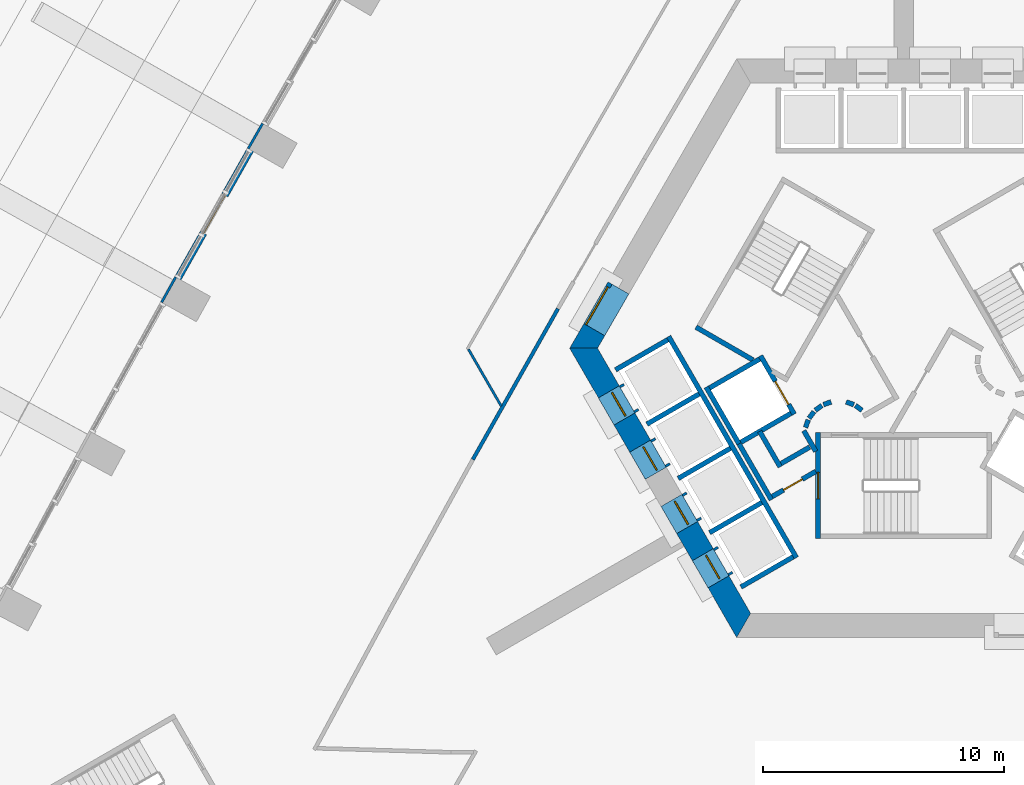
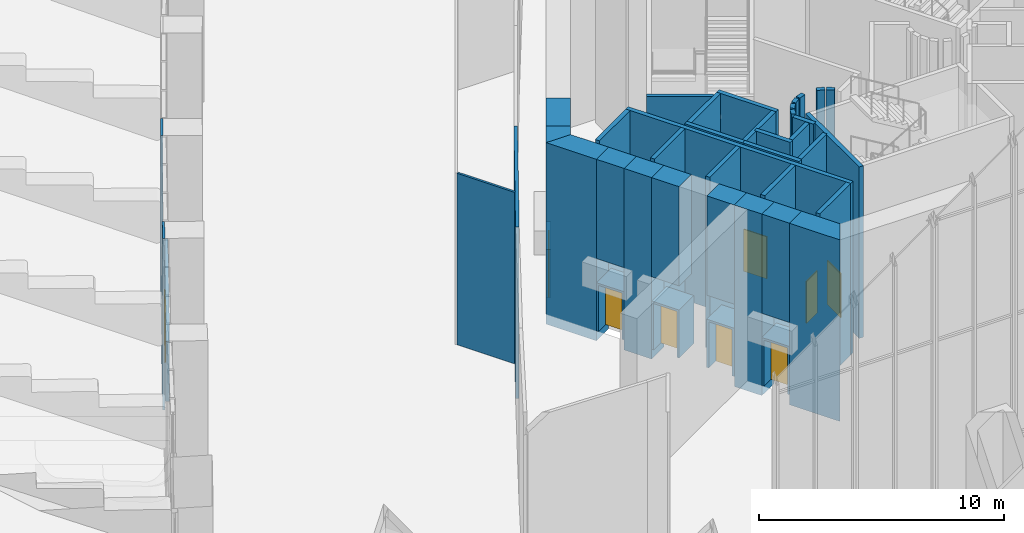
# One storey, part 15 of 36: 43 walls, 9 doors, 9 openings.
"""IFC4 building model written with IfcOpenShell, lengths in metres."""

from ifc_helpers import new_model, si_unit, direction, frame, frame_2d, origin, place, context, subcontext, project, spatial, polyline, rectangle, outline, extrude, material, layer, layer_set, type_object, element, fill, save


model = new_model("IFC4")

# Units and contexts
model_context = context("Model", 3, precision=1e-05, world=origin(), true_north=direction((0.0, 1.0)))
body_context = subcontext(model_context, "Body", "Model", "MODEL_VIEW")
ifc_project = project(units=[si_unit("LENGTHUNIT", "METRE"), si_unit("AREAUNIT", "SQUARE_METRE"), si_unit("VOLUMEUNIT", "CUBIC_METRE"), si_unit("PLANEANGLEUNIT", "RADIAN"), si_unit("MASSUNIT", "GRAM", prefix="KILO")], contexts=[model_context])

# Site, building, storey
site_placement = place(None, origin())
site = spatial("IfcSite", under=ifc_project, at=site_placement, CompositionType="ELEMENT")
building_placement = place(site_placement, origin())
building = spatial("IfcBuilding", under=site, at=building_placement, Name="Entoto Arch Interchange Tower", CompositionType="ELEMENT")
storey_placement = place(building_placement, origin())
storey = spatial("IfcBuildingStorey", under=building, at=storey_placement, Name="L00", CompositionType="ELEMENT", Elevation=0.0)

# Wall, opening, door
ifc_material_1 = material(Name="Reinforced concrete C40/50", Category="concrete")
ifc_layer_1 = layer(ifc_material_1, 0.199951171875)
ifc_layer_set_1 = layer_set([ifc_layer_1], Name="Reinforced concrete C40/50")
wall_type_1 = type_object("IfcWallType", Name="CORE GAP INFILL WALL", PredefinedType="PARTITIONING", material=ifc_layer_set_1)
wall_1_placement = place(storey_placement, frame((-12.179931640625, 5.201904296875, 0.0), z_axis=(0.0, 0.0, 1.0), x_axis=(-0.50002537861, -0.866010750942, 0.0)))
wall_1 = element("IfcWall", 1, at=wall_1_placement, inside=storey, type_object=wall_type_1, Name="wall:L00:gap3", PredefinedType="PARTITIONING", context=body_context, shape_type="SweptSolid", body=[
    extrude(rectangle(XDim=2.0, YDim=0.199951171875, at=frame_2d((1.0, 0.0))), origin(), (0.0, 0.0, 1.0), 2.39990234375),
])
opening_1_placement = place(wall_1_placement, frame((0.18994140625, 0.0, 0.0)))
opening_1 = element("IfcOpeningElement", 2, at=opening_1_placement, cuts=wall_1, Name="Opening L00-D93", PredefinedType="OPENING", context=body_context, shape_type="SweptSolid", body=[
    extrude(rectangle(XDim=1.800048828125, YDim=2.10009765625, at=frame_2d((0.89990234375, 1.050048828125))), frame((0.0, 0.10986328125, 0.0), z_axis=(0.0, -1.0, 0.0), x_axis=(1.0, 0.0, 0.0)), (0.0, 0.0, 1.0), 0.219970703125),
])
ifc_material_2 = material(Name="Fire-rated Steel S235 door and frame", Category="steel")
door_type_1 = type_object("IfcDoorType", Name="DOOR FD-18 1800x2100", OperationType="DOUBLE_DOOR_SINGLE_SWING", PredefinedType="DOOR", material=ifc_material_2)
door_1_placement = place(opening_1_placement, origin())
door_1 = element("IfcDoor", 3, at=door_1_placement, inside=storey, type_object=door_type_1, Name="door:L00:gap3", OperationType="DOUBLE_DOOR_SINGLE_SWING", OverallHeight=2.10009765625, OverallWidth=1.800048828125, PredefinedType="DOOR", context=body_context, shape_type="SweptSolid", body=[
    extrude(rectangle(XDim=1.800048828125, YDim=2.10009765625, at=frame_2d((0.89990234375, 1.050048828125))), frame((0.0, 0.02490234375, 0.0), z_axis=(0.0, -1.0, 0.0), x_axis=(1.0, 0.0, 0.0)), (0.0, 0.0, 1.0), 0.050048828125),
])
fill(opening_1, door_1)

# Walls
ifc_material_3 = material(Name="Concrete C60/75", Category="concrete")
ifc_layer_2 = layer(ifc_material_3, 1.0)
ifc_layer_set_2 = layer_set([ifc_layer_2], Name="Concrete C60/75")
wall_type_2 = type_object("IfcWallType", Name="Core wall 1000 C60/75", PredefinedType="SHEAR", material=ifc_layer_set_2)
wall_2_placement = place(storey_placement, frame((0.0, 0.0, -0.5)))
element("IfcWall", 4, at=wall_2_placement, inside=storey, type_object=wall_type_2, Name="Core wall NW L00", PredefinedType="SHEAR", context=body_context, shape_type="SweptSolid", body=[
    extrude(outline(polyline([(-12.402099609375, 3.02001953125), (-13.26708984375, 3.52001953125), (-13.85595703125, 2.5), (-12.701904296875, 2.5), (-12.402099609375, 3.02001953125)])), origin(), (0.0, 0.0, 1.0), 9.050048828125),
])
wall_3_placement = place(storey_placement, frame((0.0, 0.0, 3.60009765625)))
element("IfcWall", 5, at=wall_3_placement, inside=storey, type_object=wall_type_2, Name="Core wall lintel NW L00", PredefinedType="SHEAR", context=body_context, shape_type="SweptSolid", body=[
    extrude(outline(polyline([(-13.26708984375, 3.52001953125), (-12.402099609375, 3.02001953125), (-11.402099609375, 4.751953125), (-12.26708984375, 5.251953125), (-13.26708984375, 3.52001953125)])), origin(), (0.0, 0.0, 1.0), 4.949951171875),
])
wall_4_placement = place(storey_placement, frame((0.0, 0.0, -0.5)))
element("IfcWall", 6, at=wall_4_placement, inside=storey, type_object=wall_type_2, Name="Core wall SW L00", PredefinedType="SHEAR", context=body_context, shape_type="SweptSolid", body=[
    extrude(outline(polyline([(-12.6669921875, 0.43994140625), (-11.801025390625, 0.93994140625), (-12.701904296875, 2.5), (-13.85595703125, 2.5), (-12.6669921875, 0.43994140625)])), origin(), (0.0, 0.0, 1.0), 9.050048828125),
])
wall_5_placement = place(storey_placement, frame((0.0, 0.0, -0.5)))
element("IfcWall", 7, at=wall_5_placement, inside=storey, type_object=wall_type_2, Name="Core wall SW L00", PredefinedType="SHEAR", context=body_context, shape_type="SweptSolid", body=[
    extrude(outline(polyline([(-11.366943359375, -1.81103515625), (-10.5009765625, -1.31103515625), (-11.15087890625, -0.18603515625), (-12.01708984375, -0.68603515625), (-11.366943359375, -1.81103515625)])), origin(), (0.0, 0.0, 1.0), 9.050048828125),
])
wall_6_placement = place(storey_placement, frame((0.0, 0.0, -0.5)))
element("IfcWall", 8, at=wall_6_placement, inside=storey, type_object=wall_type_2, Name="Core wall SW L00", PredefinedType="SHEAR", context=body_context, shape_type="SweptSolid", body=[
    extrude(outline(polyline([(-8.76708984375, -6.31396484375), (-7.902099609375, -5.81396484375), (-8.551025390625, -4.68896484375), (-9.4169921875, -5.18896484375), (-8.76708984375, -6.31396484375)])), origin(), (0.0, 0.0, 1.0), 9.050048828125),
])
wall_7_placement = place(storey_placement, frame((0.0, 0.0, -0.5)))
element("IfcWall", 9, at=wall_7_placement, inside=storey, type_object=wall_type_2, Name="Core wall SW L00", PredefinedType="SHEAR", context=body_context, shape_type="SweptSolid", body=[
    extrude(outline(polyline([(-7.251953125, -6.93994140625), (-8.116943359375, -7.43994140625), (-6.927978515625, -9.5), (-6.35107421875, -8.5), (-7.251953125, -6.93994140625)])), origin(), (0.0, 0.0, 1.0), 9.050048828125),
])
wall_8_placement = place(storey_placement, frame((0.0, 0.0, 3.60009765625)))
element("IfcWall", 10, at=wall_8_placement, inside=storey, type_object=wall_type_2, Name="Core wall lintel SW L00", PredefinedType="SHEAR", context=body_context, shape_type="SweptSolid", body=[
    extrude(outline(polyline([(-12.01708984375, -0.68603515625), (-11.15087890625, -0.18603515625), (-11.801025390625, 0.93994140625), (-12.6669921875, 0.43994140625), (-12.01708984375, -0.68603515625)])), origin(), (0.0, 0.0, 1.0), 4.949951171875),
])
wall_9_placement = place(storey_placement, frame((0.0, 0.0, 3.60009765625)))
element("IfcWall", 11, at=wall_9_placement, inside=storey, type_object=wall_type_2, Name="Core wall lintel SW L00", PredefinedType="SHEAR", context=body_context, shape_type="SweptSolid", body=[
    extrude(outline(polyline([(-10.717041015625, -2.93701171875), (-9.85107421875, -2.43701171875), (-10.5009765625, -1.31103515625), (-11.366943359375, -1.81103515625), (-10.717041015625, -2.93701171875)])), origin(), (0.0, 0.0, 1.0), 4.949951171875),
])
wall_10_placement = place(storey_placement, frame((0.0, 0.0, 3.60009765625)))
element("IfcWall", 12, at=wall_10_placement, inside=storey, type_object=wall_type_2, Name="Core wall lintel SW L00", PredefinedType="SHEAR", context=body_context, shape_type="SweptSolid", body=[
    extrude(outline(polyline([(-9.4169921875, -5.18896484375), (-8.551025390625, -4.68896484375), (-9.200927734375, -3.56298828125), (-10.06689453125, -4.06298828125), (-9.4169921875, -5.18896484375)])), origin(), (0.0, 0.0, 1.0), 4.949951171875),
])
wall_11_placement = place(storey_placement, frame((0.0, 0.0, 3.60009765625)))
element("IfcWall", 13, at=wall_11_placement, inside=storey, type_object=wall_type_2, Name="Core wall lintel SW L00", PredefinedType="SHEAR", context=body_context, shape_type="SweptSolid", body=[
    extrude(outline(polyline([(-8.116943359375, -7.43994140625), (-7.251953125, -6.93994140625), (-7.902099609375, -5.81396484375), (-8.76708984375, -6.31396484375), (-8.116943359375, -7.43994140625)])), origin(), (0.0, 0.0, 1.0), 4.949951171875),
])

# Wall, opening, door
ifc_material_4 = material(Name="Concrete C40/50", Category="concrete")
ifc_layer_3 = layer(ifc_material_4, 1.199951171875)
ifc_layer_set_3 = layer_set([ifc_layer_3], Name="Concrete C40/50")
wall_type_3 = type_object("IfcWallType", Name="LIFT LANDING INFILL WALL", PredefinedType="STANDARD", material=ifc_layer_set_3)
wall_12_placement = place(storey_placement, frame((-12.14794921875, 0.739990234375, 0.0), z_axis=(0.0, 0.0, 1.0), x_axis=(0.500221244143, -0.865897630733, 0.0)))
wall_12 = element("IfcWall", 14, at=wall_12_placement, inside=storey, type_object=wall_type_3, Name="Lift landing infill wall SH1 L00", PredefinedType="STANDARD", context=body_context, shape_type="SweptSolid", body=[
    extrude(rectangle(XDim=1.29931640625, YDim=1.199951171875, at=frame_2d((0.649658203125, 0.0))), origin(), (0.0, 0.0, 1.0), 2.39990234375),
])
opening_2_placement = place(wall_12_placement, frame((0.10009765625, 0.0, 0.0)))
opening_2 = element("IfcOpeningElement", 15, at=opening_2_placement, cuts=wall_12, Name="Opening LD-SH1-L00", PredefinedType="OPENING", context=body_context, shape_type="SweptSolid", body=[
    extrude(rectangle(XDim=1.10009765625, YDim=2.300048828125, at=frame_2d((0.550048828125, 1.14990234375))), frame((0.0, 0.60986328125, 0.0), z_axis=(0.0, -1.0, 0.0), x_axis=(1.0, 0.0, 0.0)), (0.0, 0.0, 1.0), 1.219970703125),
])
ifc_material_5 = material(Name="Stainless steel 1.4301 panels", Category="steel")
door_type_2 = type_object("IfcDoorType", Name="LIFT LANDING DOOR LD2 1100x2300", OperationType="SLIDING_TO_LEFT", PredefinedType="DOOR", material=ifc_material_5)
door_2_placement = place(opening_2_placement, origin())
door_2 = element("IfcDoor", 16, at=door_2_placement, inside=storey, type_object=door_type_2, Name="Lift landing door SH1 L00", OperationType="SLIDING_TO_LEFT", OverallHeight=2.300048828125, OverallWidth=1.10009765625, PredefinedType="DOOR", context=body_context, shape_type="SweptSolid", body=[
    extrude(rectangle(XDim=1.10009765625, YDim=2.300048828125, at=frame_2d((0.550048828125, 1.14990234375))), frame((0.0, 0.02490234375, 0.0), z_axis=(0.0, -1.0, 0.0), x_axis=(1.0, 0.0, 0.0)), (0.0, 0.0, 1.0), 0.050048828125),
])
fill(opening_2, door_2)

wall_13_placement = place(storey_placement, frame((-10.847900390625, -1.510986328125, 0.0), z_axis=(0.0, 0.0, 1.0), x_axis=(0.49989585183, -0.866085525409, 0.0)))
wall_13 = element("IfcWall", 17, at=wall_13_placement, inside=storey, type_object=wall_type_3, Name="Lift landing infill wall SH2 L00", PredefinedType="STANDARD", context=body_context, shape_type="SweptSolid", body=[
    extrude(rectangle(XDim=1.300048828125, YDim=1.199951171875, at=frame_2d((0.64990234375, 0.0))), origin(), (0.0, 0.0, 1.0), 2.39990234375),
])
opening_3_placement = place(wall_13_placement, frame((0.10009765625, 0.0, 0.0)))
opening_3 = element("IfcOpeningElement", 18, at=opening_3_placement, cuts=wall_13, Name="Opening LD-SH2-L00", PredefinedType="OPENING", context=body_context, shape_type="SweptSolid", body=[
    extrude(rectangle(XDim=1.10009765625, YDim=2.300048828125, at=frame_2d((0.550048828125, 1.14990234375))), frame((0.0, 0.60986328125, 0.0), z_axis=(0.0, -1.0, 0.0), x_axis=(1.0, 0.0, 0.0)), (0.0, 0.0, 1.0), 1.219970703125),
])
door_3_placement = place(opening_3_placement, origin())
door_3 = element("IfcDoor", 19, at=door_3_placement, inside=storey, type_object=door_type_2, Name="Lift landing door SH2 L00", OperationType="SLIDING_TO_LEFT", OverallHeight=2.300048828125, OverallWidth=1.10009765625, PredefinedType="DOOR", context=body_context, shape_type="SweptSolid", body=[
    extrude(rectangle(XDim=1.10009765625, YDim=2.300048828125, at=frame_2d((0.550048828125, 1.14990234375))), frame((0.0, 0.02490234375, 0.0), z_axis=(0.0, -1.0, 0.0), x_axis=(1.0, 0.0, 0.0)), (0.0, 0.0, 1.0), 0.050048828125),
])
fill(opening_3, door_3)

wall_14_placement = place(storey_placement, frame((-9.548095703125, -3.762939453125, 0.0), z_axis=(0.0, 0.0, 1.0), x_axis=(0.500036693733, -0.866004217611, 0.0)))
wall_14 = element("IfcWall", 20, at=wall_14_placement, inside=storey, type_object=wall_type_3, Name="Lift landing infill wall SH3 L00", PredefinedType="STANDARD", context=body_context, shape_type="SweptSolid", body=[
    extrude(rectangle(XDim=1.30029296875, YDim=1.199951171875, at=frame_2d((0.650146484375, 0.0))), origin(), (0.0, 0.0, 1.0), 2.39990234375),
])
opening_4_placement = place(wall_14_placement, frame((0.10009765625, 0.0, 0.0)))
opening_4 = element("IfcOpeningElement", 21, at=opening_4_placement, cuts=wall_14, Name="Opening LD-SH3-L00", PredefinedType="OPENING", context=body_context, shape_type="SweptSolid", body=[
    extrude(rectangle(XDim=1.10009765625, YDim=2.300048828125, at=frame_2d((0.550048828125, 1.14990234375))), frame((0.0, 0.60986328125, 0.0), z_axis=(0.0, -1.0, 0.0), x_axis=(1.0, 0.0, 0.0)), (0.0, 0.0, 1.0), 1.219970703125),
])
door_4_placement = place(opening_4_placement, origin())
door_4 = element("IfcDoor", 22, at=door_4_placement, inside=storey, type_object=door_type_2, Name="Lift landing door SH3 L00", OperationType="SLIDING_TO_LEFT", OverallHeight=2.300048828125, OverallWidth=1.10009765625, PredefinedType="DOOR", context=body_context, shape_type="SweptSolid", body=[
    extrude(rectangle(XDim=1.10009765625, YDim=2.300048828125, at=frame_2d((0.550048828125, 1.14990234375))), frame((0.0, 0.02490234375, 0.0), z_axis=(0.0, -1.0, 0.0), x_axis=(1.0, 0.0, 0.0)), (0.0, 0.0, 1.0), 0.050048828125),
])
fill(opening_4, door_4)

wall_15_placement = place(storey_placement, frame((-8.248046875, -6.014892578125, 0.0), z_axis=(0.0, 0.0, 1.0), x_axis=(0.500362116554, -0.865816234728, 0.0)))
wall_15 = element("IfcWall", 23, at=wall_15_placement, inside=storey, type_object=wall_type_3, Name="Lift landing infill wall SH4 L00", PredefinedType="STANDARD", context=body_context, shape_type="SweptSolid", body=[
    extrude(rectangle(XDim=1.29931640625, YDim=1.199951171875, at=frame_2d((0.649658203125, 0.0))), origin(), (0.0, 0.0, 1.0), 2.39990234375),
])
opening_5_placement = place(wall_15_placement, frame((0.10009765625, 0.0, 0.0)))
opening_5 = element("IfcOpeningElement", 24, at=opening_5_placement, cuts=wall_15, Name="Opening LD-SH4-L00", PredefinedType="OPENING", context=body_context, shape_type="SweptSolid", body=[
    extrude(rectangle(XDim=1.10009765625, YDim=2.300048828125, at=frame_2d((0.550048828125, 1.14990234375))), frame((0.0, 0.60986328125, 0.0), z_axis=(0.0, -1.0, 0.0), x_axis=(1.0, 0.0, 0.0)), (0.0, 0.0, 1.0), 1.219970703125),
])
door_5_placement = place(opening_5_placement, origin())
door_5 = element("IfcDoor", 25, at=door_5_placement, inside=storey, type_object=door_type_2, Name="Lift landing door SH4 L00", OperationType="SLIDING_TO_LEFT", OverallHeight=2.300048828125, OverallWidth=1.10009765625, PredefinedType="DOOR", context=body_context, shape_type="SweptSolid", body=[
    extrude(rectangle(XDim=1.10009765625, YDim=2.300048828125, at=frame_2d((0.550048828125, 1.14990234375))), frame((0.0, 0.02490234375, 0.0), z_axis=(0.0, -1.0, 0.0), x_axis=(1.0, 0.0, 0.0)), (0.0, 0.0, 1.0), 0.050048828125),
])
fill(opening_5, door_5)

ifc_layer_4 = layer(ifc_material_4, 0.199951171875)
ifc_layer_set_4 = layer_set([ifc_layer_4], Name="Concrete C40/50")
wall_type_4 = type_object("IfcWallType", Name="LIFT SHAFT WALL 200", PredefinedType="STANDARD", material=ifc_layer_set_4)
wall_16_placement = place(storey_placement, frame((-5.93994140625, 2.18798828125, 0.0), z_axis=(0.0, 0.0, 1.0), x_axis=(0.49994636267, -0.866056369097, 0.0)))
wall_16 = element("IfcWall", 26, at=wall_16_placement, inside=storey, type_object=wall_type_4, Name="Shaft wall SW1 front", PredefinedType="STANDARD", context=body_context, shape_type="SweptSolid", body=[
    extrude(rectangle(XDim=2.800048828125, YDim=0.199951171875, at=frame_2d((1.39990234375, 0.0))), origin(), (0.0, 0.0, 1.0), 8.550048828125),
])
opening_6_placement = place(wall_16_placement, frame((1.22509765625, 0.0, 0.0)))
opening_6 = element("IfcOpeningElement", 27, at=opening_6_placement, cuts=wall_16, Name="Opening LD-FF2-L00", PredefinedType="OPENING", context=body_context, shape_type="SweptSolid", body=[
    extrude(rectangle(XDim=1.10009765625, YDim=2.10009765625, at=frame_2d((0.550048828125, 1.050048828125))), frame((0.0, 0.10986328125, 0.0), z_axis=(0.0, -1.0, 0.0), x_axis=(1.0, 0.0, 0.0)), (0.0, 0.0, 1.0), 0.219970703125),
])
door_type_3 = type_object("IfcDoorType", Name="LIFT LANDING DOOR LD1 1100x2100", OperationType="SLIDING_TO_LEFT", PredefinedType="DOOR", material=ifc_material_5)
door_6_placement = place(opening_6_placement, origin())
door_6 = element("IfcDoor", 28, at=door_6_placement, inside=storey, type_object=door_type_3, Name="Lift landing door FF2 L00", OperationType="SLIDING_TO_LEFT", OverallHeight=2.10009765625, OverallWidth=1.10009765625, PredefinedType="DOOR", context=body_context, shape_type="SweptSolid", body=[
    extrude(rectangle(XDim=1.10009765625, YDim=2.10009765625, at=frame_2d((0.550048828125, 1.050048828125))), frame((0.0, 0.02490234375, 0.0), z_axis=(0.0, -1.0, 0.0), x_axis=(1.0, 0.0, 0.0)), (0.0, 0.0, 1.0), 0.050048828125),
])
fill(opening_6, door_6)

# Walls
wall_17_placement = place(storey_placement, frame((-8.19189453125, 0.887939453125, 0.0), z_axis=(0.0, 0.0, 1.0), x_axis=(0.49994636267, -0.866056369097, 0.0)))
element("IfcWall", 29, at=wall_17_placement, inside=storey, type_object=wall_type_4, Name="Shaft wall SW1 back", PredefinedType="STANDARD", context=body_context, shape_type="SweptSolid", body=[
    extrude(rectangle(XDim=2.800048828125, YDim=0.199951171875, at=frame_2d((1.39990234375, 0.0))), origin(), (0.0, 0.0, 1.0), 8.550048828125),
])
for number, where, z_axis, x_axis, name in (
    (30, (-5.97705078125, 2.052001953125, 0.0), (0.0, 0.0, 1.0), (-0.865973769406, -0.500089422704, 0.0), "Shaft wall SW1 cross 1"),
    (31, (-4.677001953125, -0.199951171875, 0.0), (0.0, 0.0, 1.0), (-0.865973769406, -0.500089422704, 0.0), "Shaft wall SW1 cross 2"),
):
    element("IfcWall", number, at=place(storey_placement, frame(where, z_axis=z_axis, x_axis=x_axis)), inside=storey, type_object=wall_type_4, Name=name, PredefinedType="STANDARD", context=body_context, shape_type="SweptSolid", body=[
        extrude(rectangle(XDim=2.3994140625, YDim=0.199951171875, at=frame_2d((1.19970703125, 0.0))), origin(), (0.0, 0.0, 1.0), 8.550048828125),
    ])
wall_18_placement = place(storey_placement, frame((-9.7509765625, 2.989990234375, 0.0), z_axis=(0.0, 0.0, 1.0), x_axis=(0.50000090737, -0.866024879913, 0.0)))
element("IfcWall", 32, at=wall_18_placement, inside=storey, type_object=wall_type_4, Name="Shaft wall SW3 front", PredefinedType="STANDARD", context=body_context, shape_type="SweptSolid", body=[
    extrude(rectangle(XDim=10.60009765625, YDim=0.199951171875, at=frame_2d((5.300048828125, 0.0))), origin(), (0.0, 0.0, 1.0), 8.550048828125),
])
wall_19_placement = place(storey_placement, frame((-9.7880859375, 2.85302734375, 0.0), z_axis=(0.0, 0.0, 1.0), x_axis=(-0.865998541277, -0.500046524342, 0.0)))
element("IfcWall", 33, at=wall_19_placement, inside=storey, type_object=wall_type_4, Name="Shaft wall SW3 cross 1", PredefinedType="STANDARD", context=body_context, shape_type="SweptSolid", body=[
    extrude(rectangle(XDim=2.499755859375, YDim=0.199951171875, at=frame_2d((1.25, 0.0))), origin(), (0.0, 0.0, 1.0), 8.550048828125),
])
for number, where, z_axis, x_axis, name in (
    (34, (-8.488037109375, 0.60205078125, 0.0), (0.0, 0.0, 1.0), (-0.866022959057, -0.500004234368, 0.0), "Shaft wall SW3 cross 2"),
    (35, (-7.18798828125, -1.64990234375, 0.0), (0.0, 0.0, 1.0), (-0.866022959057, -0.500004234368, 0.0), "Shaft wall SW3 cross 3"),
    (36, (-5.887939453125, -3.902099609375, 0.0), (0.0, 0.0, 1.0), (-0.866022959057, -0.500004234368, 0.0), "Shaft wall SW3 cross 4"),
    (37, (-4.587890625, -6.153076171875, 0.0), (0.0, 0.0, 1.0), (-0.866022959057, -0.500004234368, 0.0), "Shaft wall SW3 cross 5"),
):
    element("IfcWall", number, at=place(storey_placement, frame(where, z_axis=z_axis, x_axis=x_axis)), inside=storey, type_object=wall_type_4, Name=name, PredefinedType="STANDARD", context=body_context, shape_type="SweptSolid", body=[
        extrude(rectangle(XDim=2.5, YDim=0.199951171875, at=frame_2d((1.25, 0.0))), origin(), (0.0, 0.0, 1.0), 8.550048828125),
    ])
ifc_material_6 = material(Name="Gypsum board partition on steel studs", Category="steel")
ifc_layer_5 = layer(ifc_material_6, 0.10009765625)
ifc_layer_set_5 = layer_set([ifc_layer_5], Name="Gypsum board partition on steel studs")
wall_type_5 = type_object("IfcWallType", Name="PARTITION 100", PredefinedType="PARTITIONING", material=ifc_layer_set_5)
wall_20_placement = place(storey_placement, frame((-16.697021484375, 0.10107421875, 0.0), z_axis=(0.0, 0.0, 1.0), x_axis=(-0.499903734186, 0.866080975745, 0.0)))
element("IfcWall", 38, at=wall_20_placement, inside=storey, type_object=wall_type_5, Name="wall:L00:p028", PredefinedType="PARTITIONING", context=body_context, shape_type="SweptSolid", body=[
    extrude(rectangle(XDim=2.72021484375, YDim=0.10009765625, at=frame_2d((1.360107421875, 0.0))), origin(), (0.0, 0.0, 1.0), 8.550048828125),
])
ifc_layer_6 = layer(ifc_material_6, 0.14990234375)
ifc_layer_set_6 = layer_set([ifc_layer_6], Name="Gypsum board partition on steel studs")
wall_type_6 = type_object("IfcWallType", Name="PARTITION 150", PredefinedType="PARTITIONING", material=ifc_layer_set_6)
wall_21_placement = place(storey_placement, frame((-14.343994140625, 4.136962890625, 0.0), z_axis=(0.0, 0.0, 1.0), x_axis=(-0.491655071834, -0.870790038035, 0.0)))
element("IfcWall", 39, at=wall_21_placement, inside=storey, type_object=wall_type_6, Name="wall:L00:p034", PredefinedType="PARTITIONING", context=body_context, shape_type="SweptSolid", body=[
    extrude(rectangle(XDim=7.181884765625, YDim=0.14990234375, at=frame_2d((3.5908203125, 0.0))), origin(), (0.0, 0.0, 1.0), 8.550048828125),
])
ifc_layer_7 = layer(ifc_material_6, 0.199951171875)
ifc_layer_set_7 = layer_set([ifc_layer_7], Name="Gypsum board partition on steel studs")
wall_type_7 = type_object("IfcWallType", Name="PARTITION 200", PredefinedType="PARTITIONING", material=ifc_layer_set_7)
wall_22_placement = place(storey_placement, frame((-3.89990234375, -1.59912109375, 0.0), z_axis=(0.0, 0.0, 1.0), x_axis=(-0.865969445389, -0.500096910261, 0.0)))
element("IfcWall", 40, at=wall_22_placement, inside=storey, type_object=wall_type_7, Name="wall:L00:p007", PredefinedType="PARTITIONING", context=body_context, shape_type="SweptSolid", body=[
    extrude(rectangle(XDim=1.373291015625, YDim=0.199951171875, at=frame_2d((0.6865234375, 0.0))), origin(), (0.0, 0.0, 1.0), 8.550048828125),
])
wall_23_placement = place(storey_placement, frame((-5.1259765625, -2.422119140625, 0.0), z_axis=(0.0, 0.0, 1.0), x_axis=(-0.500062241894, 0.865989465428, 0.0)))
element("IfcWall", 41, at=wall_23_placement, inside=storey, type_object=wall_type_7, Name="wall:L00:p008", PredefinedType="PARTITIONING", context=body_context, shape_type="SweptSolid", body=[
    extrude(rectangle(XDim=1.699951171875, YDim=0.199951171875, at=frame_2d((0.85009765625, 0.0))), origin(), (0.0, 0.0, 1.0), 8.550048828125),
])
wall_24_placement = place(storey_placement, frame((-5.491943359375, -3.7880859375, 0.0), z_axis=(0.0, 0.0, 1.0), x_axis=(-0.500008949224, 0.866020236886, 0.0)))
element("IfcWall", 42, at=wall_24_placement, inside=storey, type_object=wall_type_7, Name="wall:L00:p009", PredefinedType="PARTITIONING", context=body_context, shape_type="SweptSolid", body=[
    extrude(rectangle(XDim=2.68017578125, YDim=0.199951171875, at=frame_2d((1.340087890625, 0.0))), origin(), (0.0, 0.0, 1.0), 8.550048828125),
])
wall_25_placement = place(storey_placement, frame((-4.14501953125, -0.919921875, 0.0), z_axis=(0.0, 0.0, 1.0), x_axis=(0.499743786207, -0.866173278362, 0.0)))
element("IfcWall", 43, at=wall_25_placement, inside=storey, type_object=wall_type_7, Name="wall:L00:p010", PredefinedType="PARTITIONING", context=body_context, shape_type="SweptSolid", body=[
    extrude(rectangle(XDim=0.99072265625, YDim=0.199951171875, at=frame_2d((0.495361328125, 0.0))), origin(), (0.0, 0.0, 1.0), 8.550048828125),
])

# Wall, opening, door
wall_26_placement = place(storey_placement, frame((-3.64990234375, -2.610107421875, 0.0), z_axis=(0.0, 0.0, 1.0), x_axis=(-0.866072462134, -0.499918483688, 0.0)))
wall_26 = element("IfcWall", 44, at=wall_26_placement, inside=storey, type_object=wall_type_7, Name="wall:L00:p011", PredefinedType="PARTITIONING", context=body_context, shape_type="SweptSolid", body=[
    extrude(rectangle(XDim=2.084228515625, YDim=0.199951171875, at=frame_2d((1.0419921875, 0.0))), origin(), (0.0, 0.0, 1.0), 8.550048828125),
])
opening_7_placement = place(wall_26_placement, frame((0.64208984375, 0.0, 0.0)))
opening_7 = element("IfcOpeningElement", 45, at=opening_7_placement, cuts=wall_26, Name="Opening L00-D14", PredefinedType="OPENING", context=body_context, shape_type="SweptSolid", body=[
    extrude(rectangle(XDim=0.89990234375, YDim=2.10009765625, at=frame_2d((0.449951171875, 1.050048828125))), frame((0.0, 0.10986328125, 0.0), z_axis=(0.0, -1.0, 0.0), x_axis=(1.0, 0.0, 0.0)), (0.0, 0.0, 1.0), 0.219970703125),
])
ifc_material_7 = material(Name="Timber door leaf in Steel S235 frame", Category="steel")
door_type_4 = type_object("IfcDoorType", Name="DOOR DS-09 900x2100", OperationType="SINGLE_SWING_LEFT", PredefinedType="DOOR", material=ifc_material_7)
door_7_placement = place(opening_7_placement, origin())
door_7 = element("IfcDoor", 46, at=door_7_placement, inside=storey, type_object=door_type_4, Name="door:L00:14", OperationType="SINGLE_SWING_LEFT", OverallHeight=2.10009765625, OverallWidth=0.89990234375, PredefinedType="DOOR", context=body_context, shape_type="SweptSolid", body=[
    extrude(rectangle(XDim=0.89990234375, YDim=2.10009765625, at=frame_2d((0.449951171875, 1.050048828125))), frame((0.0, 0.02490234375, 0.0), z_axis=(0.0, -1.0, 0.0), x_axis=(1.0, 0.0, 0.0)), (0.0, 0.0, 1.0), 0.050048828125),
])
fill(opening_7, door_7)

# Walls
wall_27_placement = place(storey_placement, frame((-1.73095703125, -0.076904296875, 0.0), z_axis=(0.0, 0.0, 1.0), x_axis=(-0.804311165252, 0.594208338422, 0.0)))
element("IfcWall", 47, at=wall_27_placement, inside=storey, type_object=wall_type_7, Name="wall:L00:p021", PredefinedType="PARTITIONING", context=body_context, shape_type="SweptSolid", body=[
    extrude(rectangle(XDim=0.338134765625, YDim=0.199951171875, at=frame_2d((0.1689453125, 0.0))), origin(), (0.0, 0.0, 1.0), 8.550048828125),
])
wall_28_placement = place(storey_placement, frame((-2.070068359375, 0.159912109375, 0.0), z_axis=(0.0, 0.0, 1.0), x_axis=(-0.942199461132, 0.335052496547, 0.0)))
element("IfcWall", 48, at=wall_28_placement, inside=storey, type_object=wall_type_7, Name="wall:L00:p022", PredefinedType="PARTITIONING", context=body_context, shape_type="SweptSolid", body=[
    extrude(rectangle(XDim=0.33740234375, YDim=0.199951171875, at=frame_2d((0.168701171875, 0.0))), origin(), (0.0, 0.0, 1.0), 8.550048828125),
])
wall_29_placement = place(storey_placement, frame((-3.011962890625, 0.27294921875, 0.0), z_axis=(0.0, 0.0, 1.0), x_axis=(-0.942280615813, -0.334824194261, 0.0)))
element("IfcWall", 49, at=wall_29_placement, inside=storey, type_object=wall_type_7, Name="wall:L00:p023", PredefinedType="PARTITIONING", context=body_context, shape_type="SweptSolid", body=[
    extrude(rectangle(XDim=0.337646484375, YDim=0.199951171875, at=frame_2d((0.1689453125, 0.0))), origin(), (0.0, 0.0, 1.0), 8.550048828125),
])
wall_30_placement = place(storey_placement, frame((-3.39697265625, 0.1240234375, 0.0), z_axis=(0.0, 0.0, 1.0), x_axis=(-0.804311165252, -0.594208338422, 0.0)))
element("IfcWall", 50, at=wall_30_placement, inside=storey, type_object=wall_type_7, Name="wall:L00:p024", PredefinedType="PARTITIONING", context=body_context, shape_type="SweptSolid", body=[
    extrude(rectangle(XDim=0.338134765625, YDim=0.199951171875, at=frame_2d((0.1689453125, 0.0))), origin(), (0.0, 0.0, 1.0), 8.550048828125),
])
wall_31_placement = place(storey_placement, frame((-3.722900390625, -0.131103515625, 0.0), z_axis=(0.0, 0.0, 1.0), x_axis=(-0.594675113454, -0.803966112121, 0.0)))
element("IfcWall", 51, at=wall_31_placement, inside=storey, type_object=wall_type_7, Name="wall:L00:p025", PredefinedType="PARTITIONING", context=body_context, shape_type="SweptSolid", body=[
    extrude(rectangle(XDim=0.33837890625, YDim=0.199951171875, at=frame_2d((0.169189453125, 0.0))), origin(), (0.0, 0.0, 1.0), 8.550048828125),
])
wall_32_placement = place(storey_placement, frame((-3.9599609375, -0.469970703125, 0.0), z_axis=(0.0, 0.0, 1.0), x_axis=(-0.334824194261, -0.942280615813, 0.0)))
element("IfcWall", 52, at=wall_32_placement, inside=storey, type_object=wall_type_7, Name="wall:L00:p026", PredefinedType="PARTITIONING", context=body_context, shape_type="SweptSolid", body=[
    extrude(rectangle(XDim=0.337646484375, YDim=0.199951171875, at=frame_2d((0.1689453125, 0.0))), origin(), (0.0, 0.0, 1.0), 8.550048828125),
])

# Wall, opening, door
ifc_layer_8 = layer(ifc_material_4, 0.199951171875)
ifc_layer_set_8 = layer_set([ifc_layer_8], Name="Concrete C40/50")
wall_type_8 = type_object("IfcWallType", Name="STAIR ENCLOSURE WALL 200", PredefinedType="STANDARD", material=ifc_layer_set_8)
wall_33_placement = place(storey_placement, frame((-3.550048828125, -1.0, 0.0), z_axis=(0.0, 0.0, 1.0), x_axis=(0.0, -1.0, 0.0)))
wall_33 = element("IfcWall", 53, at=wall_33_placement, inside=storey, type_object=wall_type_8, Name="Stair wall ST-S near", PredefinedType="STANDARD", context=body_context, shape_type="SweptSolid", body=[
    extrude(rectangle(XDim=4.39990234375, YDim=0.199951171875, at=frame_2d((2.199951171875, 0.0))), origin(), (0.0, 0.0, 1.0), 8.550048828125),
])
opening_8_placement = place(wall_33_placement, frame((1.64990234375, 0.0, 0.0)))
opening_8 = element("IfcOpeningElement", 54, at=opening_8_placement, cuts=wall_33, Name="Opening SD-ST-S-L00-E", PredefinedType="OPENING", context=body_context, shape_type="SweptSolid", body=[
    extrude(rectangle(XDim=1.10009765625, YDim=2.199951171875, at=frame_2d((0.550048828125, 1.10009765625))), frame((0.0, 0.10986328125, 0.0), z_axis=(0.0, -1.0, 0.0), x_axis=(1.0, 0.0, 0.0)), (0.0, 0.0, 1.0), 0.219970703125),
])
ifc_material_8 = material(Name="Steel S235", Category="steel")
door_type_5 = type_object("IfcDoorType", Name="STAIR DOOR SD1 1100x2200", OperationType="SINGLE_SWING_LEFT", PredefinedType="DOOR", material=ifc_material_8)
door_8_placement = place(opening_8_placement, origin())
door_8 = element("IfcDoor", 55, at=door_8_placement, inside=storey, type_object=door_type_5, Name="Stair door ST-S L00 end", OperationType="SINGLE_SWING_LEFT", OverallHeight=2.199951171875, OverallWidth=1.10009765625, PredefinedType="DOOR", context=body_context, shape_type="SweptSolid", body=[
    extrude(rectangle(XDim=1.10009765625, YDim=2.199951171875, at=frame_2d((0.550048828125, 1.10009765625))), frame((0.0, 0.02490234375, 0.0), z_axis=(0.0, -1.0, 0.0), x_axis=(1.0, 0.0, 0.0)), (0.0, 0.0, 1.0), 0.050048828125),
])
fill(opening_8, door_8)

# Wall
wall_34_placement = place(storey_placement, frame((-6.25, 2.010009765625, 0.0), z_axis=(0.0, 0.0, 1.0), x_axis=(-0.86611865017, 0.499838457731, 0.0)))
element("IfcWall", 56, at=wall_34_placement, inside=storey, type_object=wall_type_8, Name="Stair wall ST-NW far", PredefinedType="STANDARD", context=body_context, shape_type="SweptSolid", body=[
    extrude(rectangle(XDim=2.73291015625, YDim=0.199951171875, at=frame_2d((1.366455078125, 0.0))), origin(), (0.0, 0.0, 1.0), 8.550048828125),
])

# Wall, opening, door
ifc_material_9 = material(Name="Welded tuff (ignimbrite) cladding, warm buff", Category="masonry")
ifc_layer_9 = layer(ifc_material_9, 0.300048828125)
ifc_layer_set_9 = layer_set([ifc_layer_9], Name="Welded tuff (ignimbrite) cladding, warm buff")
wall_type_9 = type_object("IfcWallType", Name="STONE INFILL WALL 300", PredefinedType="STANDARD", material=ifc_layer_set_9)
wall_35_placement = place(storey_placement, frame((-30.406005859375, 4.875, 0.0), z_axis=(0.0, 0.0, 1.0), x_axis=(0.491558487571, 0.870844563224, 0.0)))
wall_35 = element("IfcWall", 57, at=wall_35_placement, inside=storey, type_object=wall_type_9, Name="Entrance wall NW-06 L00", PredefinedType="STANDARD", context=body_context, shape_type="SweptSolid", body=[
    extrude(rectangle(XDim=7.32373046875, YDim=0.300048828125, at=frame_2d((3.661865234375, 0.0))), origin(), (0.0, 0.0, 1.0), 3.0),
])
opening_9_placement = place(wall_35_placement, frame((2.761962890625, 0.0, 0.0)))
opening_9 = element("IfcOpeningElement", 58, at=opening_9_placement, cuts=wall_35, Name="Opening DX-NW-06", PredefinedType="OPENING", context=body_context, shape_type="SweptSolid", body=[
    extrude(rectangle(XDim=1.800048828125, YDim=2.39990234375, at=frame_2d((0.89990234375, 1.199951171875))), frame((0.0, 0.16015625, 0.0), z_axis=(0.0, -1.0, 0.0), x_axis=(1.0, 0.0, 0.0)), (0.0, 0.0, 1.0), 0.320068359375),
])
ifc_material_10 = material(Name="Aluminium and clear glass, anodised", Category="aluminium")
door_type_6 = type_object("IfcDoorType", Name="EXIT DOOR DX 1800x2400", OperationType="DOUBLE_DOOR_SINGLE_SWING", PredefinedType="DOOR", material=ifc_material_10)
door_9_placement = place(opening_9_placement, origin())
door_9 = element("IfcDoor", 59, at=door_9_placement, inside=storey, type_object=door_type_6, Name="Exit door NW-06", OperationType="DOUBLE_DOOR_SINGLE_SWING", OverallHeight=2.39990234375, OverallWidth=1.800048828125, PredefinedType="DOOR", context=body_context, shape_type="SweptSolid", body=[
    extrude(rectangle(XDim=1.800048828125, YDim=2.39990234375, at=frame_2d((0.89990234375, 1.199951171875))), frame((0.0, 0.02490234375, 0.0), z_axis=(0.0, -1.0, 0.0), x_axis=(1.0, 0.0, 0.0)), (0.0, 0.0, 1.0), 0.050048828125),
])
fill(opening_9, door_9)

# Walls
ifc_layer_10 = layer(ifc_material_9, 0.10009765625)
ifc_layer_set_10 = layer_set([ifc_layer_10], Name="Welded tuff (ignimbrite) cladding, warm buff")
wall_type_10 = type_object("IfcWallType", Name="STONE PIER CLADDING 100", PredefinedType="STANDARD", material=ifc_layer_set_10)
wall_36_placement = place(storey_placement, frame((-26.595947265625, 11.822021484375, 0.0), z_axis=(0.0, 0.0, 1.0), x_axis=(-0.495854054996, -0.868405870629, 0.0)))
element("IfcWall", 60, at=wall_36_placement, inside=storey, type_object=wall_type_10, Name="Stone pier NW06 L00", PredefinedType="STANDARD", context=body_context, shape_type="SweptSolid", body=[
    extrude(rectangle(XDim=1.199951171875, YDim=0.10009765625, at=frame_2d((0.60009765625, 0.0))), origin(), (0.0, 0.0, 1.0), 8.550048828125),
])
wall_37_placement = place(storey_placement, frame((-30.199951171875, 5.449951171875, 0.0), z_axis=(0.0, 0.0, 1.0), x_axis=(-0.486817526853, -0.873503689488, 0.0)))
element("IfcWall", 61, at=wall_37_placement, inside=storey, type_object=wall_type_10, Name="Stone pier NW07 L00", PredefinedType="STANDARD", context=body_context, shape_type="SweptSolid", body=[
    extrude(rectangle(XDim=1.19970703125, YDim=0.10009765625, at=frame_2d((0.599853515625, 0.0))), origin(), (0.0, 0.0, 1.0), 8.550048828125),
])

save(model, "model.ifc")
